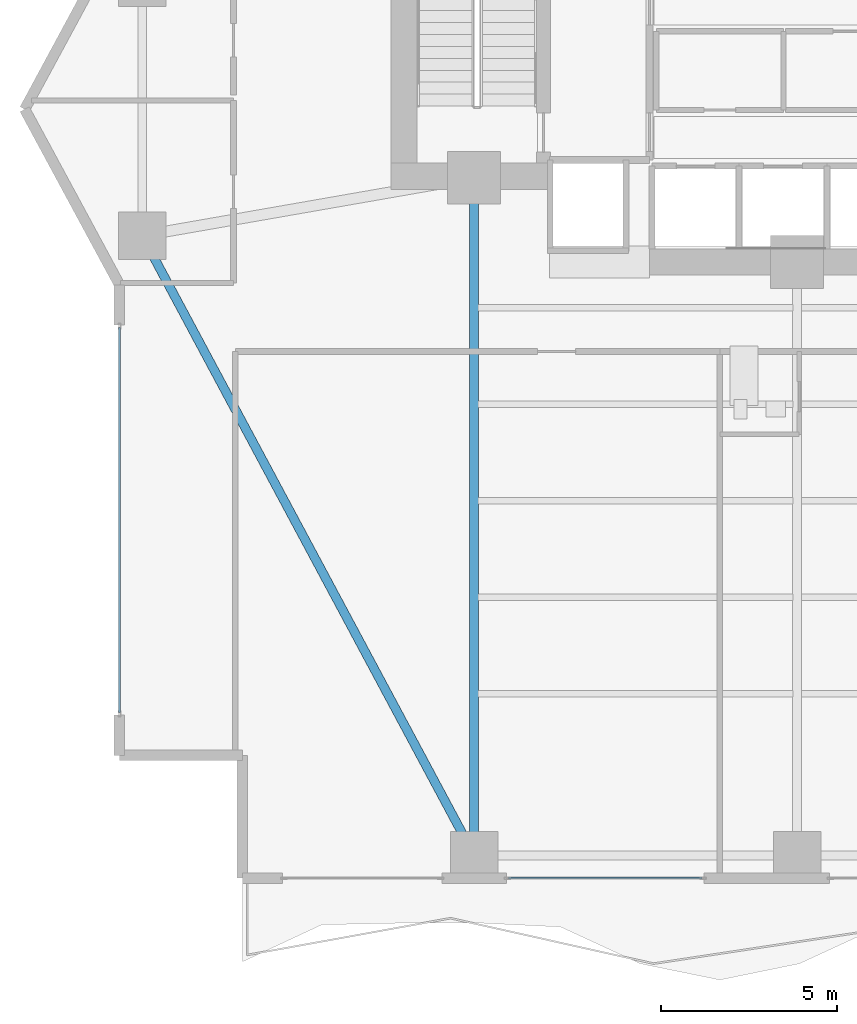
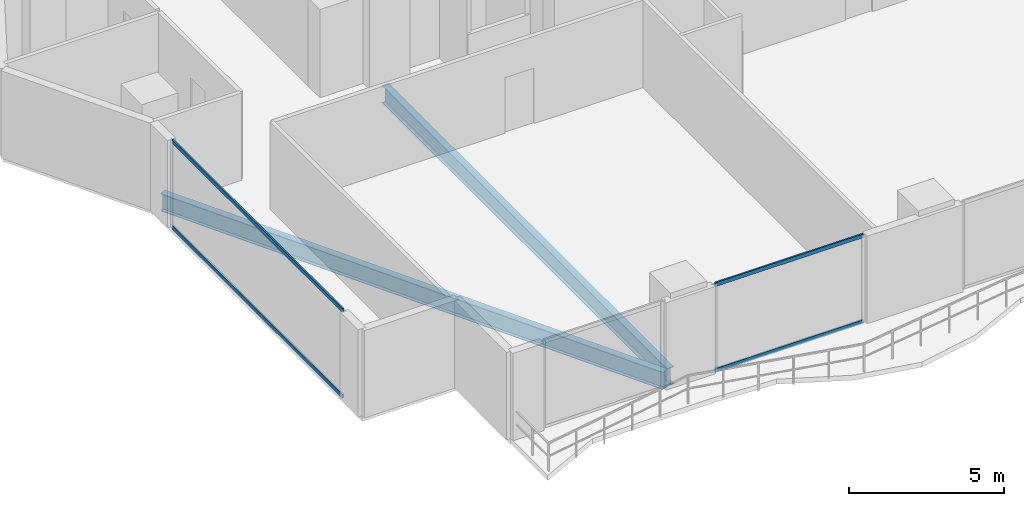
# One storey, part 3 of 28: 4 members, 2 beams, 2 elements without a shape of their own.
"""IFC4 building model written with IfcOpenShell, lengths in metres."""

from ifc_helpers import new_model, si_unit, direction, frame, origin, origin_2d, place, context, subcontext, project, spatial, hollow_rectangle, i_section, extrude, material, layer, layer_set, material_profile, profile_set, type_object, element, aggregate, save


model = new_model("IFC4")

# Units and contexts
model_context = context("Model", 3, precision=1e-05, world=origin(), true_north=direction((0.0, 1.0)))
body_context = subcontext(model_context, "Body", "Model", "MODEL_VIEW")
ifc_project = project(units=[si_unit("LENGTHUNIT", "METRE"), si_unit("AREAUNIT", "SQUARE_METRE"), si_unit("VOLUMEUNIT", "CUBIC_METRE"), si_unit("PLANEANGLEUNIT", "RADIAN"), si_unit("MASSUNIT", "GRAM", prefix="KILO")], contexts=[model_context])

# Site, building, storey
site_placement = place(None, origin())
site = spatial("IfcSite", under=ifc_project, at=site_placement, CompositionType="ELEMENT")
building_placement = place(site_placement, origin())
building = spatial("IfcBuilding", under=site, at=building_placement, Name="Zuhayl Quay Hotel", CompositionType="ELEMENT")
storey_placement = place(building_placement, frame((0.0, 0.0, 110.25)))
storey = spatial("IfcBuildingStorey", under=building, at=storey_placement, Name="L27", CompositionType="ELEMENT", Elevation=110.25)

# Beams
ifc_material_1 = material(Name="Steel ASTM A992 Grade 50", Category="steel")
ifc_material_profile_1 = material_profile(ifc_material_1, i_section(OverallWidth=0.25390625, OverallDepth=0.68310546875, WebThickness=0.012451171875, FlangeThickness=0.018798828125, at=origin_2d()), Name="W27X94")
ifc_profile_set_1 = profile_set([ifc_material_profile_1], Name="Steel ASTM A992 Grade 50")
beam_type = type_object("IfcBeamType", Name="BM_B2_W27X94", PredefinedType="BEAM", material=ifc_profile_set_1)
beam_1_placement = place(storey_placement, frame((-23.013916015625, 2.459228515625, -0.5615234375), z_axis=(0.472017301959, -0.88158928456, 0.0), x_axis=(0.88158928456, 0.472017301959, 0.0)))
element("IfcBeam", 1, at=beam_1_placement, inside=storey, type_object=beam_type, Name="L27 Floor Beam RG_L27_12", PredefinedType="BEAM", context=body_context, shape_type="SweptSolid", body=[
    extrude(i_section(OverallWidth=0.25390625, OverallDepth=0.68310546875, WebThickness=0.012451171875, FlangeThickness=0.018798828125, at=origin_2d()), origin(), (0.0, 0.0, 1.0), 19.0205078125),
])
beam_2_placement = place(storey_placement, frame((-13.800048828125, -14.25, -0.5615234375), z_axis=(0.0, 1.0, 0.0), x_axis=(-1.0, 0.0, 0.0)))
element("IfcBeam", 2, at=beam_2_placement, inside=storey, type_object=beam_type, Name="L27 Floor Beam FG_S_L27_1", PredefinedType="BEAM", context=body_context, shape_type="SweptSolid", body=[
    extrude(i_section(OverallWidth=0.25390625, OverallDepth=0.68310546875, WebThickness=0.012451171875, FlangeThickness=0.018798828125, at=origin_2d()), origin(), (0.0, 0.0, 1.0), 18.35009765625),
])

# Curtain wall, members
ifc_material_2 = material(Name="Anodised Aluminium 6063-T6", Category="aluminium")
ifc_layer = layer(ifc_material_2, 0.179931640625, Name="Anodised Aluminium 6063-T6", Category="aluminium")
ifc_layer_set = layer_set([ifc_layer], Name="Anodised Aluminium 6063-T6")
curtain_wall_type = type_object("IfcCurtainWallType", Name="CW_SYS_Z2", PredefinedType="USERDEFINED", material=ifc_layer_set)
curtain_wall_1_placement = place(storey_placement, origin())
curtain_wall_1 = element("IfcCurtainWall", 3, at=curtain_wall_1_placement, inside=storey, type_object=curtain_wall_type, Name="L27 Curtain Wall ENV_L27_E02_CW1", ObjectType="UNITISED CURTAIN WALL", PredefinedType="USERDEFINED")
ifc_material_3 = material(Name="Black-anodised aluminium 6063-T6", Category="aluminium")
ifc_material_profile_2 = material_profile(ifc_material_3, hollow_rectangle(XDim=0.06005859375, YDim=0.14990234375, WallThickness=0.00341796875, at=origin_2d()), Name="ALU150X60")
ifc_profile_set_2 = profile_set([ifc_material_profile_2], Name="Black-anodised aluminium 6063-T6")
member_type = type_object("IfcMemberType", Name="MB_CW_TRN_150", PredefinedType="USERDEFINED", material=ifc_profile_set_2)
member_1_placement = place(storey_placement, frame((-23.89990234375, -10.68505859375, 0.030029296875), z_axis=(0.0, 1.0, 0.0), x_axis=(-1.0, 0.0, 0.0)))
member_1 = element("IfcMember", 4, at=member_1_placement, type_object=member_type, Name="CW-Z2 transom 1.1", ObjectType="TRANSOM", PredefinedType="USERDEFINED", context=body_context, shape_type="SweptSolid", body=[
    extrude(hollow_rectangle(XDim=0.06005859375, YDim=0.14990234375, WallThickness=0.00341796875, at=origin_2d()), origin(), (0.0, 0.0, 1.0), 10.969970703125),
])
member_2_placement = place(storey_placement, frame((-23.89990234375, -10.68505859375, 3.39990234375), z_axis=(0.0, 1.0, 0.0), x_axis=(-1.0, 0.0, 0.0)))
member_2 = element("IfcMember", 5, at=member_2_placement, type_object=member_type, Name="CW-Z2 transom 1.2", ObjectType="TRANSOM", PredefinedType="USERDEFINED", context=body_context, shape_type="SweptSolid", body=[
    extrude(hollow_rectangle(XDim=0.06005859375, YDim=0.14990234375, WallThickness=0.00341796875, at=origin_2d()), origin(), (0.0, 0.0, 1.0), 10.969970703125),
])
aggregate(curtain_wall_1, [member_1, member_2])

curtain_wall_2_placement = place(storey_placement, origin())
curtain_wall_2 = element("IfcCurtainWall", 6, at=curtain_wall_2_placement, inside=storey, type_object=curtain_wall_type, Name="L27 Curtain Wall ENV_L27_S_CW5", ObjectType="UNITISED CURTAIN WALL", PredefinedType="USERDEFINED")
member_3_placement = place(storey_placement, frame((-7.31494140625, -15.39990234375, 0.030029296875), z_axis=(-1.0, 0.0, 0.0), x_axis=(0.0, -1.0, 0.0)))
member_3 = element("IfcMember", 7, at=member_3_placement, type_object=member_type, Name="CW-Z2 transom 1.1", ObjectType="TRANSOM", PredefinedType="USERDEFINED", context=body_context, shape_type="SweptSolid", body=[
    extrude(hollow_rectangle(XDim=0.06005859375, YDim=0.14990234375, WallThickness=0.00341796875, at=origin_2d()), origin(), (0.0, 0.0, 1.0), 5.5),
])
member_4_placement = place(storey_placement, frame((-7.31494140625, -15.39990234375, 3.39990234375), z_axis=(-1.0, 0.0, 0.0), x_axis=(0.0, -1.0, 0.0)))
member_4 = element("IfcMember", 8, at=member_4_placement, type_object=member_type, Name="CW-Z2 transom 1.2", ObjectType="TRANSOM", PredefinedType="USERDEFINED", context=body_context, shape_type="SweptSolid", body=[
    extrude(hollow_rectangle(XDim=0.06005859375, YDim=0.14990234375, WallThickness=0.00341796875, at=origin_2d()), origin(), (0.0, 0.0, 1.0), 5.5),
])
aggregate(curtain_wall_2, [member_3, member_4])

save(model, "model.ifc")
